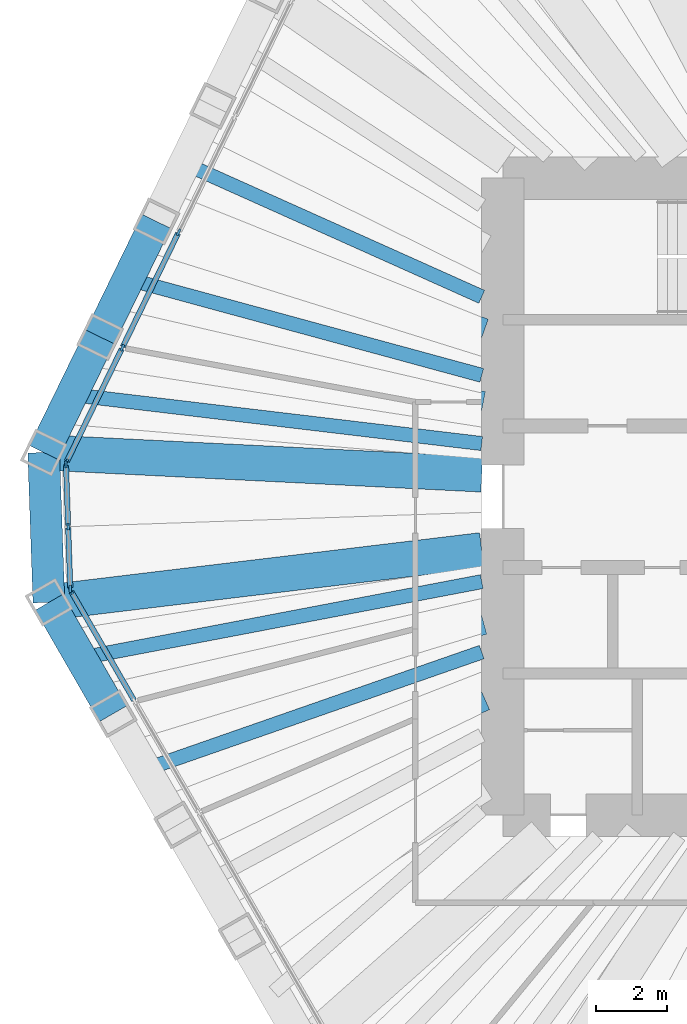
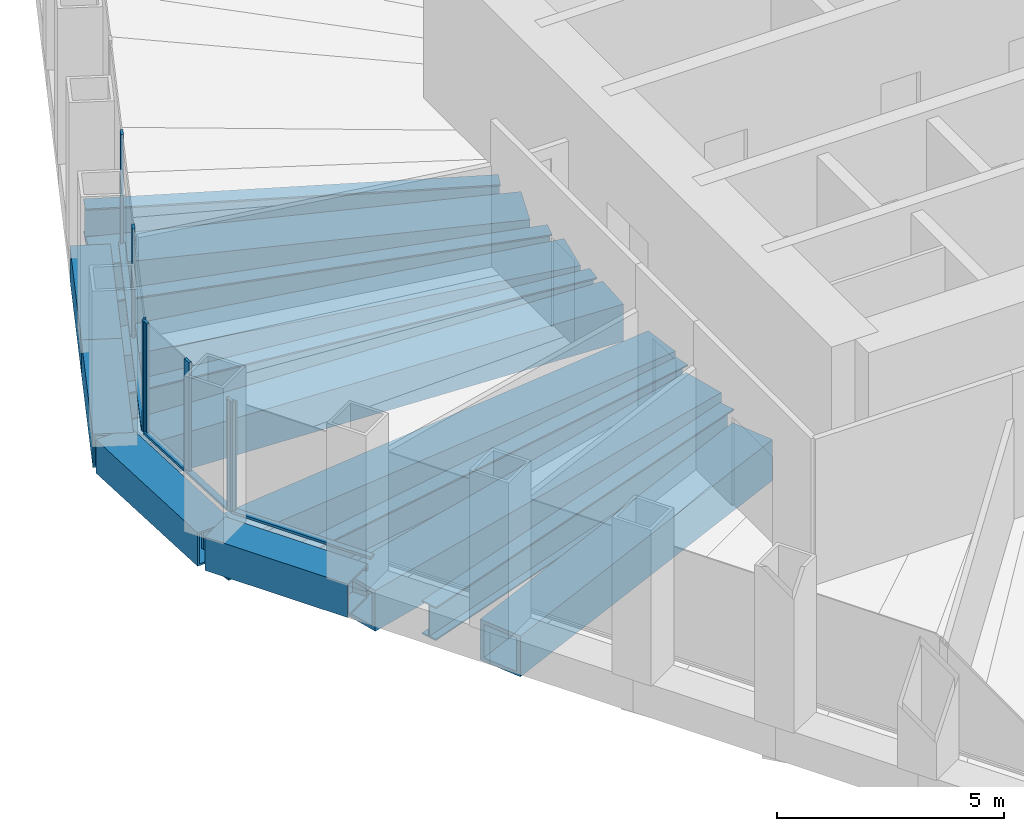
# One storey, part 3 of 12: 15 beams, 12 members, 3 elements without a shape of their own.
"""IFC4 building model written with IfcOpenShell, lengths in metres."""

import ifcopenshell
import ifcopenshell.guid

model = None  # the IFC model being written
_history = None  # IfcOwnerHistory: only IFC2X3 demands one
_inside = {}  # id of a spatial element -> (the spatial element, [elements in it])
_under = {}  # id of a project, library or spatial element -> (it, [spatial elements below it])
_declared = {}  # id of a project -> (the project, [libraries it declares])
_typed = {}  # id of a type object -> (the type object, [elements of that type])
_made_of = {}  # id of a material, layer set ... -> (it, [elements and type objects made of it])


def new_model(schema):
    """Start an empty IFC model of exactly this schema.

    Asked for "IFC4X3", IfcOpenShell would pick the latest addendum, in which some entities
    have other attributes; the version numbers below select the first issue.
    IFC2X3 requires an IfcOwnerHistory on every rooted entity: one is made here for all.
    """
    global model, _history
    if schema == "IFC4X3":
        model = ifcopenshell.file(schema_version=(4, 3, 0, 0))
    else:
        model = ifcopenshell.file(schema=schema)
    _inside.clear()
    _under.clear()
    _declared.clear()
    _typed.clear()
    _made_of.clear()
    _history = None
    if model.schema == "IFC2X3":
        org = make("IfcOrganization", Name="unknown")
        user = make(
            "IfcPersonAndOrganization",
            ThePerson=make("IfcPerson", FamilyName="unknown"),
            TheOrganization=org,
        )
        app = make(
            "IfcApplication",
            ApplicationDeveloper=org,
            Version="unknown",
            ApplicationFullName="unknown",
            ApplicationIdentifier="unknown",
        )
        _history = make(
            "IfcOwnerHistory",
            OwningUser=user,
            OwningApplication=app,
            ChangeAction="ADDED",
            CreationDate=0,
        )
    return model


def make(cls, **values):
    """One entity of the class cls with the attributes given. An attribute that is None is left unset."""
    return model.create_entity(
        cls, **{name: value for name, value in values.items() if value is not None}
    )


def rooted(cls, **values):
    """An entity with a GlobalId (a new one), such as an element, a storey or a relation."""
    return make(cls, GlobalId=ifcopenshell.guid.new(), OwnerHistory=_history, **values)


def si_unit(unit_type, name, prefix=None):
    """IfcSIUnit, for example si_unit("LENGTHUNIT", "METRE", prefix="MILLI")."""
    return make("IfcSIUnit", UnitType=unit_type, Prefix=prefix, Name=name)


def assignment(units):
    """IfcUnitAssignment: the units of a project."""
    return None if units is None else make("IfcUnitAssignment", Units=units)


def point(xyz):
    """IfcCartesianPoint."""
    return None if xyz is None else make("IfcCartesianPoint", Coordinates=xyz)


def direction(xyz):
    """IfcDirection."""
    return None if xyz is None else make("IfcDirection", DirectionRatios=xyz)


def frame(location, z_axis=None, x_axis=None):
    """IfcAxis2Placement3D, a coordinate frame: its origin and axes. An axis left out is left unset."""
    return make(
        "IfcAxis2Placement3D",
        Location=point(location),
        Axis=direction(z_axis),
        RefDirection=direction(x_axis),
    )


def frame_2d(location, x_axis=None):
    """IfcAxis2Placement2D, a coordinate frame in the plane: its origin and x axis."""
    return make(
        "IfcAxis2Placement2D", Location=point(location), RefDirection=direction(x_axis)
    )


def origin():
    """The frame at (0, 0, 0) with its axes left unset."""
    return frame((0.0, 0.0, 0.0))


def origin_2d():
    """The frame at (0, 0) in the plane with its x axis left unset."""
    return frame_2d((0.0, 0.0))


def place(relative_to, where):
    """IfcLocalPlacement: puts the frame where relative to a parent placement (None: the world)."""
    return make(
        "IfcLocalPlacement", PlacementRelTo=relative_to, RelativePlacement=where
    )


def context(
    kind, dimensions, precision=None, world=None, true_north=None, identifier=None
):
    """IfcGeometricRepresentationContext, for example the 3D "Model" context."""
    return make(
        "IfcGeometricRepresentationContext",
        ContextIdentifier=identifier,
        ContextType=kind,
        CoordinateSpaceDimension=dimensions,
        Precision=precision,
        WorldCoordinateSystem=world,
        TrueNorth=true_north,
    )


def subcontext(parent, identifier, kind, view, scale=None):
    """IfcGeometricRepresentationSubContext, for example "Body" below "Model"."""
    return make(
        "IfcGeometricRepresentationSubContext",
        ContextIdentifier=identifier,
        ContextType=kind,
        ParentContext=parent,
        TargetScale=scale,
        TargetView=view,
    )


def project(units=None, contexts=None):
    """IfcProject with its units and contexts."""
    return rooted(
        "IfcProject",
        Name="project",
        RepresentationContexts=contexts,
        UnitsInContext=assignment(units),
    )


def spatial(cls, under=None, at=None, **own):
    """A site, building, storey or space (cls), placed at a placement, below another one or the project."""
    s = rooted(cls, ObjectPlacement=at, **own)
    if under is not None:
        _under.setdefault(under.id(), (under, []))[1].append(s)
    return s


def profile(cls, at=None, kind="AREA", **sizes):
    """A parametric profile (cls). Its sizes go by their IFC names, for example OverallWidth=200.0."""
    return make(cls, ProfileType=kind, Position=at, **sizes)


def rectangle(**sizes):
    """IfcRectangleProfileDef."""
    return profile("IfcRectangleProfileDef", **sizes)


def hollow_rectangle(**sizes):
    """IfcRectangleHollowProfileDef."""
    return profile("IfcRectangleHollowProfileDef", **sizes)


def i_section(**sizes):
    """IfcIShapeProfileDef."""
    return profile("IfcIShapeProfileDef", **sizes)


def extrude(swept, where, along, depth):
    """IfcExtrudedAreaSolid: the profile swept, set in the frame where, extruded along a direction by depth."""
    return make(
        "IfcExtrudedAreaSolid",
        SweptArea=swept,
        Position=where,
        ExtrudedDirection=direction(along),
        Depth=depth,
    )


def shape(context_of_items, identifier, shape_type, items):
    """IfcShapeRepresentation: the items that make up one representation, for example the "Body"."""
    return make(
        "IfcShapeRepresentation",
        ContextOfItems=context_of_items,
        RepresentationIdentifier=identifier,
        RepresentationType=shape_type,
        Items=items,
    )


def material(Name=None, Category=None):
    """IfcMaterial."""
    return make("IfcMaterial", Name=Name, Category=Category)


def material_profile(
    of_material, cross_section, Name=None, Category=None, Priority=None
):
    """IfcMaterialProfile: a cross section and its material."""
    return make(
        "IfcMaterialProfile",
        Name=Name,
        Material=of_material,
        Profile=cross_section,
        Priority=Priority,
        Category=Category,
    )


def profile_set(profiles, Name=None, composite=None):
    """IfcMaterialProfileSet."""
    return make(
        "IfcMaterialProfileSet",
        Name=Name,
        MaterialProfiles=profiles,
        CompositeProfile=composite,
    )


def made_of(thing, what):
    """Note that an element or type object is made of a material, layer set ...; save() writes the relation."""
    if what is not None:
        _made_of.setdefault(what.id(), (what, []))[1].append(thing)
    return thing


def type_object(cls, material=None, **own):
    """A type object (cls), such as IfcWallType, which elements share."""
    return made_of(rooted(cls, **own), material)


def element(
    cls,
    number,
    at=None,
    inside=None,
    cuts=None,
    type_object=None,
    material=None,
    context=None,
    identifier="Body",
    shape_type=None,
    held_by="IfcProductDefinitionShape",
    body=None,
    shapes=None,
    **own,
):
    """One element of the class cls, such as IfcWall. Its Tag is "e" and its number.

    at: its placement. inside: the storey or other place that contains it. cuts: it is an
    opening in that element (IfcRelVoidsElement). A single representation is given by context,
    identifier, shape_type and body (its items); several are given by shapes. held_by: the class
    of the entity that holds the representations. save() writes the other relations.
    """
    e = rooted(cls, Tag="e%d" % number, ObjectPlacement=at, **own)
    if body is not None:
        shapes = [shape(context, identifier, shape_type, body)]
    if shapes is not None:
        e.Representation = make(held_by, Representations=shapes)
    if inside is not None:
        _inside.setdefault(inside.id(), (inside, []))[1].append(e)
    if cuts is not None:
        rooted(
            "IfcRelVoidsElement", RelatingBuildingElement=cuts, RelatedOpeningElement=e
        )
    if type_object is not None:
        _typed.setdefault(type_object.id(), (type_object, []))[1].append(e)
    return made_of(e, material)


def aggregate(whole, parts):
    """IfcRelAggregates: a whole, such as a stair, and the parts it consists of."""
    return rooted("IfcRelAggregates", RelatingObject=whole, RelatedObjects=parts)


def save(model, path):
    """Write the relations noted so far, then the file.

    IfcRelAggregates (storeys below a building ...), IfcRelContainedInSpatialStructure (elements
    in a storey), IfcRelDefinesByType, IfcRelAssociatesMaterial and IfcRelDeclares: one each for
    every whole, place, type object, material and project.
    """
    for whole, parts in _under.values():
        aggregate(whole, parts)
    for where, things in _inside.values():
        rooted(
            "IfcRelContainedInSpatialStructure",
            RelatedElements=things,
            RelatingStructure=where,
        )
    for kind, things in _typed.values():
        rooted("IfcRelDefinesByType", RelatedObjects=things, RelatingType=kind)
    for what, things in _made_of.values():
        rooted("IfcRelAssociatesMaterial", RelatedObjects=things, RelatingMaterial=what)
    for by, libraries in _declared.values():
        rooted("IfcRelDeclares", RelatingContext=by, RelatedDefinitions=libraries)
    model.write(path)


model = new_model("IFC4")

# Units and contexts
model_context = context("Model", 3, precision=1e-05, world=origin(), true_north=direction((0.0, 1.0)))
body_context = subcontext(model_context, "Body", "Model", "MODEL_VIEW")
ifc_project = project(units=[si_unit("LENGTHUNIT", "METRE"), si_unit("AREAUNIT", "SQUARE_METRE"), si_unit("VOLUMEUNIT", "CUBIC_METRE"), si_unit("PLANEANGLEUNIT", "RADIAN"), si_unit("MASSUNIT", "GRAM", prefix="KILO")], contexts=[model_context])

# Site, building, storey
site_placement = place(None, origin())
site = spatial("IfcSite", under=ifc_project, at=site_placement, CompositionType="ELEMENT")
building_placement = place(site_placement, origin())
building = spatial("IfcBuilding", under=site, at=building_placement, Name="Qingtian Harvest Tower", CompositionType="ELEMENT")
storey_placement = place(building_placement, frame((0.0, 0.0, 251.800048828125)))
storey = spatial("IfcBuildingStorey", under=building, at=storey_placement, Name="L55", CompositionType="ELEMENT", Elevation=251.800048828125)

# Beams
ifc_material_1 = material(Name="Steel SN490B", Category="steel")
ifc_material_profile_1 = material_profile(ifc_material_1, i_section(OverallWidth=0.39990234375, OverallDepth=0.89990234375, WebThickness=0.01904296875, FlangeThickness=0.035888671875, at=origin_2d()), Name="H900x400x19x36")
ifc_profile_set_1 = profile_set([ifc_material_profile_1], Name="Steel SN490B")
beam_type_1 = type_object("IfcBeamType", Name="Floor joist J4 H900x400x19x36", PredefinedType="JOIST", material=ifc_profile_set_1)
beam_1_placement = place(storey_placement, frame((-22.108154296875, -7.707763671875, -0.6201171875), z_axis=(0.944256456951, 0.329210788868, 0.0), x_axis=(-0.329210788868, 0.944256456951, 0.0)))
element("IfcBeam", 1, at=beam_1_placement, inside=storey, type_object=beam_type_1, Name="Floor joist J4 SW4", PredefinedType="JOIST", context=body_context, shape_type="SweptSolid", body=[
    extrude(i_section(OverallWidth=0.39990234375, OverallDepth=0.89990234375, WebThickness=0.01904296875, FlangeThickness=0.035888671875, at=origin_2d()), origin(), (0.0, 0.0, 1.0), 10.0693359375),
])
beam_2_placement = place(storey_placement, frame((-23.9248046875, -4.56103515625, -0.6201171875), z_axis=(0.982309082743, 0.187266830912, 0.0), x_axis=(-0.187266830912, 0.982309082743, 0.0)))
element("IfcBeam", 2, at=beam_2_placement, inside=storey, type_object=beam_type_1, Name="Floor joist J4 SW5", PredefinedType="JOIST", context=body_context, shape_type="SweptSolid", body=[
    extrude(i_section(OverallWidth=0.39990234375, OverallDepth=0.89990234375, WebThickness=0.01904296875, FlangeThickness=0.035888671875, at=origin_2d()), origin(), (0.0, 0.0, 1.0), 11.528564453125),
])
beam_3_placement = place(storey_placement, frame((-24.184814453125, 2.880859375, -0.6201171875), z_axis=(0.992980727423, -0.11827626544, 0.0), x_axis=(0.11827626544, 0.992980727423, 0.0)))
element("IfcBeam", 3, at=beam_3_placement, inside=storey, type_object=beam_type_1, Name="Floor joist J4 NW0", PredefinedType="JOIST", context=body_context, shape_type="SweptSolid", body=[
    extrude(i_section(OverallWidth=0.39990234375, OverallDepth=0.89990234375, WebThickness=0.01904296875, FlangeThickness=0.035888671875, at=origin_2d()), origin(), (0.0, 0.0, 1.0), 11.66650390625),
])
beam_4_placement = place(storey_placement, frame((-22.591796875, 6.146728515625, -0.6201171875), z_axis=(0.964923062728, -0.26253282274, 0.0), x_axis=(0.26253282274, 0.964923062728, 0.0)))
element("IfcBeam", 4, at=beam_4_placement, inside=storey, type_object=beam_type_1, Name="Floor joist J4 NW1", PredefinedType="JOIST", context=body_context, shape_type="SweptSolid", body=[
    extrude(i_section(OverallWidth=0.39990234375, OverallDepth=0.89990234375, WebThickness=0.01904296875, FlangeThickness=0.035888671875, at=origin_2d()), origin(), (0.0, 0.0, 1.0), 10.35498046875),
])
beam_5_placement = place(storey_placement, frame((-20.9990234375, 9.41259765625, -0.6201171875), z_axis=(0.912515128421, -0.409042956671, 0.0), x_axis=(0.409042956671, 0.912515128421, 0.0)))
element("IfcBeam", 5, at=beam_5_placement, inside=storey, type_object=beam_type_1, Name="Floor joist J4 NW2", PredefinedType="JOIST", context=body_context, shape_type="SweptSolid", body=[
    extrude(i_section(OverallWidth=0.39990234375, OverallDepth=0.89990234375, WebThickness=0.01904296875, FlangeThickness=0.035888671875, at=origin_2d()), origin(), (0.0, 0.0, 1.0), 9.2041015625),
])

# Curtain wall, member
ifc_material_2 = material(Name="Bronze-anodised aluminium curtain wall", Category="aluminium")
curtain_wall_type = type_object("IfcCurtainWallType", Name="Curtain wall CW4 office", PredefinedType="USERDEFINED", material=ifc_material_2)
curtain_wall_1_placement = place(storey_placement, origin())
curtain_wall_1 = element("IfcCurtainWall", 6, at=curtain_wall_1_placement, inside=storey, type_object=curtain_wall_type, Name="Curtain wall CW4 L55 SW0-5", ObjectType="RECESSED CURTAIN WALL", PredefinedType="USERDEFINED")
ifc_material_3 = material(Name="Bronze-anodised aluminium mullion", Category="aluminium")
ifc_material_profile_2 = material_profile(ifc_material_3, rectangle(XDim=0.06494140625, YDim=0.199951171875, at=origin_2d()), Name="AL 65x200")
ifc_profile_set_2 = profile_set([ifc_material_profile_2], Name="Bronze-anodised aluminium mullion")
member_type_1 = type_object("IfcMemberType", Name="Mullion CWM 65x200", PredefinedType="MULLION", material=ifc_profile_set_2)
member_1_placement = place(storey_placement, frame((-24.210693359375, -2.665771484375, 0.0), z_axis=(0.0, 0.0, 1.0), x_axis=(-0.866025403784, -0.5, 0.0)))
member_1 = element("IfcMember", 7, at=member_1_placement, type_object=member_type_1, Name="CW4 mullion 7", PredefinedType="MULLION", context=body_context, shape_type="SweptSolid", body=[
    extrude(rectangle(XDim=0.06494140625, YDim=0.199951171875, at=origin_2d()), origin(), (0.0, 0.0, 1.0), 3.0),
])

# Curtain wall, members
curtain_wall_2_placement = place(storey_placement, origin())
curtain_wall_2 = element("IfcCurtainWall", 8, at=curtain_wall_2_placement, inside=storey, type_object=curtain_wall_type, Name="Curtain wall CW4 L55 SWC", ObjectType="RECESSED CURTAIN WALL", PredefinedType="USERDEFINED")
member_2_placement = place(storey_placement, frame((-24.228271484375, -2.60498046875, 0.0), z_axis=(0.0, 0.0, 1.0), x_axis=(-0.999390827019, -0.034899496703, 0.0)))
member_2 = element("IfcMember", 9, at=member_2_placement, type_object=member_type_1, Name="CW4 mullion 1", PredefinedType="MULLION", context=body_context, shape_type="SweptSolid", body=[
    extrude(rectangle(XDim=0.06494140625, YDim=0.199951171875, at=origin_2d()), origin(), (0.0, 0.0, 1.0), 3.0),
])
member_3_placement = place(storey_placement, frame((-24.28955078125, -0.84814453125, 0.0), z_axis=(0.0, 0.0, 1.0), x_axis=(-0.999390827019, -0.034899496703, 0.0)))
member_3 = element("IfcMember", 10, at=member_3_placement, type_object=member_type_1, Name="CW4 mullion 2", PredefinedType="MULLION", context=body_context, shape_type="SweptSolid", body=[
    extrude(rectangle(XDim=0.06494140625, YDim=0.199951171875, at=origin_2d()), origin(), (0.0, 0.0, 1.0), 3.0),
])
member_4_placement = place(storey_placement, frame((-24.350830078125, 0.90869140625, 0.0), z_axis=(0.0, 0.0, 1.0), x_axis=(-0.999390827019, -0.034899496703, 0.0)))
member_4 = element("IfcMember", 11, at=member_4_placement, type_object=member_type_1, Name="CW4 mullion 3", PredefinedType="MULLION", context=body_context, shape_type="SweptSolid", body=[
    extrude(rectangle(XDim=0.06494140625, YDim=0.199951171875, at=origin_2d()), origin(), (0.0, 0.0, 1.0), 3.0),
])

curtain_wall_3_placement = place(storey_placement, origin())
curtain_wall_3 = element("IfcCurtainWall", 12, at=curtain_wall_3_placement, inside=storey, type_object=curtain_wall_type, Name="Curtain wall CW4 L55 NW0-5", ObjectType="RECESSED CURTAIN WALL", PredefinedType="USERDEFINED")
member_5_placement = place(storey_placement, frame((-24.337646484375, 0.970458984375, 0.0), z_axis=(0.0, 0.0, 1.0), x_axis=(-0.898794046299, 0.438371146789, 0.0)))
member_5 = element("IfcMember", 13, at=member_5_placement, type_object=member_type_1, Name="CW4 mullion 1", PredefinedType="MULLION", context=body_context, shape_type="SweptSolid", body=[
    extrude(rectangle(XDim=0.06494140625, YDim=0.199951171875, at=origin_2d()), origin(), (0.0, 0.0, 1.0), 3.0),
])
member_6_placement = place(storey_placement, frame((-22.759033203125, 4.20703125, 0.0), z_axis=(0.0, 0.0, 1.0), x_axis=(-0.898794046299, 0.438371146789, 0.0)))
member_6 = element("IfcMember", 14, at=member_6_placement, type_object=member_type_1, Name="CW4 mullion 2", PredefinedType="MULLION", context=body_context, shape_type="SweptSolid", body=[
    extrude(rectangle(XDim=0.06494140625, YDim=0.199951171875, at=origin_2d()), origin(), (0.0, 0.0, 1.0), 3.0),
])
member_7_placement = place(storey_placement, frame((-21.166259765625, 7.47265625, 0.0), z_axis=(0.0, 0.0, 1.0), x_axis=(-0.898794046299, 0.438371146789, 0.0)))
member_7 = element("IfcMember", 15, at=member_7_placement, type_object=member_type_1, Name="CW4 mullion 3", PredefinedType="MULLION", context=body_context, shape_type="SweptSolid", body=[
    extrude(rectangle(XDim=0.06494140625, YDim=0.199951171875, at=origin_2d()), origin(), (0.0, 0.0, 1.0), 3.0),
])

# Beams
ifc_material_4 = material(Name="Steel SM570MC", Category="steel")
ifc_material_profile_3 = material_profile(ifc_material_4, hollow_rectangle(XDim=1.0, YDim=1.0, WallThickness=0.080078125, at=origin_2d()), Name="BOX1000x1000x80")
ifc_profile_set_3 = profile_set([ifc_material_profile_3], Name="Steel SM570MC")
beam_type_2 = type_object("IfcBeamType", Name="Transfer corner beam FB11 BOX1000x1000x80", PredefinedType="BEAM", material=ifc_profile_set_3)
beam_6_placement = place(storey_placement, frame((-24.833251953125, -2.987548828125, -0.670166015625), z_axis=(0.992841259631, 0.119441337798, 0.0), x_axis=(-0.119441337798, 0.992841259631, 0.0)))
element("IfcBeam", 16, at=beam_6_placement, inside=storey, type_object=beam_type_2, Name="Floor beam FB11 SW6", PredefinedType="BEAM", context=body_context, shape_type="SweptSolid", body=[
    extrude(hollow_rectangle(XDim=1.0, YDim=1.0, WallThickness=0.080078125, at=origin_2d()), origin(), (0.0, 0.0, 1.0), 12.3212890625),
])
beam_7_placement = place(storey_placement, frame((-24.981201171875, 1.248046875, -0.670166015625), z_axis=(0.998753959075, -0.049905202459, 0.0), x_axis=(0.049905202459, 0.998753959075, 0.0)))
element("IfcBeam", 17, at=beam_7_placement, inside=storey, type_object=beam_type_2, Name="Floor beam FB11 NW0", PredefinedType="BEAM", context=body_context, shape_type="SweptSolid", body=[
    extrude(hollow_rectangle(XDim=1.0, YDim=1.0, WallThickness=0.080078125, at=origin_2d()), origin(), (0.0, 0.0, 1.0), 12.396484375),
])
ifc_material_5 = material(Name="Steel SM570MC", Category="steel")
ifc_material_profile_4 = material_profile(ifc_material_5, hollow_rectangle(XDim=1.10009765625, YDim=1.10009765625, WallThickness=0.10009765625, at=origin_2d()), Name="BOX1100x1100x100")
ifc_profile_set_4 = profile_set([ifc_material_profile_4], Name="Steel SM570MC")
beam_type_3 = type_object("IfcBeamType", Name="Transfer floor beam FB9 BOX1100x1100x100", PredefinedType="BEAM", material=ifc_profile_set_4)
beam_8_placement = place(storey_placement, frame((-21.19970703125, -9.281005859375, -0.719970703125), z_axis=(0.916057031544, 0.401048020765, 0.0), x_axis=(-0.401048020765, 0.916057031544, 0.0)))
element("IfcBeam", 18, at=beam_8_placement, inside=storey, type_object=beam_type_3, Name="Floor beam FB9 SW4", PredefinedType="BEAM", context=body_context, shape_type="SweptSolid", body=[
    extrude(hollow_rectangle(XDim=1.10009765625, YDim=1.10009765625, WallThickness=0.10009765625, at=origin_2d()), origin(), (0.0, 0.0, 1.0), 9.3876953125),
])
beam_9_placement = place(storey_placement, frame((-23.016357421875, -6.13427734375, -0.719970703125), z_axis=(0.966270640629, 0.257528734433, 0.0), x_axis=(-0.257528734433, 0.966270640629, 0.0)))
element("IfcBeam", 19, at=beam_9_placement, inside=storey, type_object=beam_type_3, Name="Floor beam FB9 SW5", PredefinedType="BEAM", context=body_context, shape_type="SweptSolid", body=[
    extrude(hollow_rectangle(XDim=1.10009765625, YDim=1.10009765625, WallThickness=0.10009765625, at=origin_2d()), origin(), (0.0, 0.0, 1.0), 10.77978515625),
])
beam_10_placement = place(storey_placement, frame((-23.388427734375, 4.513916015625, -0.719970703125), z_axis=(0.981878004162, -0.189514075845, 0.0), x_axis=(0.189514075845, 0.981878004162, 0.0)))
element("IfcBeam", 20, at=beam_10_placement, inside=storey, type_object=beam_type_3, Name="Floor beam FB9 NW1", PredefinedType="BEAM", context=body_context, shape_type="SweptSolid", body=[
    extrude(hollow_rectangle(XDim=1.10009765625, YDim=1.10009765625, WallThickness=0.10009765625, at=origin_2d()), origin(), (0.0, 0.0, 1.0), 10.987548828125),
])
beam_11_placement = place(storey_placement, frame((-21.79541015625, 7.779541015625, -0.719970703125), z_axis=(0.941800733255, -0.336171650857, 0.0), x_axis=(0.336171650857, 0.941800733255, 0.0)))
element("IfcBeam", 21, at=beam_11_placement, inside=storey, type_object=beam_type_3, Name="Floor beam FB9 NW2", PredefinedType="BEAM", context=body_context, shape_type="SweptSolid", body=[
    extrude(hollow_rectangle(XDim=1.10009765625, YDim=1.10009765625, WallThickness=0.10009765625, at=origin_2d()), origin(), (0.0, 0.0, 1.0), 9.763427734375),
])
ifc_material_6 = material(Name="Steel SM570MC", Category="steel")
ifc_material_profile_5 = material_profile(ifc_material_6, hollow_rectangle(XDim=0.89990234375, YDim=0.89990234375, WallThickness=0.050048828125, at=origin_2d()), Name="BOX900x900x50")
ifc_profile_set_5 = profile_set([ifc_material_profile_5], Name="Steel SM570MC")
beam_type_4 = type_object("IfcBeamType", Name="Transition spandrel SB6 BOX900x900x50", PredefinedType="SPANDREL", material=ifc_profile_set_5)
beam_12_placement = place(storey_placement, frame((-23.016357421875, -6.13427734375, -0.449951171875), z_axis=(-0.500026827678, 0.866009914263, 0.0), x_axis=(-0.866009914263, -0.500026827678, 0.0)))
element("IfcBeam", 22, at=beam_12_placement, inside=storey, type_object=beam_type_4, Name="Spandrel SB6 SW5", PredefinedType="SPANDREL", context=body_context, shape_type="SweptSolid", body=[
    extrude(hollow_rectangle(XDim=0.89990234375, YDim=0.89990234375, WallThickness=0.050048828125, at=origin_2d()), origin(), (0.0, 0.0, 1.0), 3.633544921875),
])
beam_13_placement = place(storey_placement, frame((-24.833251953125, -2.987548828125, -0.449951171875), z_axis=(-0.034908677553, 0.999390506375, 0.0), x_axis=(-0.999390506375, -0.034908677553, 0.0)))
element("IfcBeam", 23, at=beam_13_placement, inside=storey, type_object=beam_type_4, Name="Spandrel SB6 SWC", PredefinedType="SPANDREL", context=body_context, shape_type="SweptSolid", body=[
    extrude(hollow_rectangle(XDim=0.89990234375, YDim=0.89990234375, WallThickness=0.050048828125, at=origin_2d()), origin(), (0.0, 0.0, 1.0), 4.23828125),
])
for number, where, z_axis, x_axis, name in (
    (24, (-24.981201171875, 1.248046875, -0.449951171875), (0.438349498419, 0.898804604592, 0.0), (-0.898804604592, 0.438349498419, 0.0), "Spandrel SB6 NW0"),
    (25, (-23.388427734375, 4.513916015625, -0.449951171875), (0.438430251153, 0.898765216769, 0.0), (-0.898765216769, 0.438430251153, 0.0), "Spandrel SB6 NW1"),
):
    element("IfcBeam", number, at=place(storey_placement, frame(where, z_axis=z_axis, x_axis=x_axis)), inside=storey, type_object=beam_type_4, Name=name, PredefinedType="SPANDREL", context=body_context, shape_type="SweptSolid", body=[
        extrude(hollow_rectangle(XDim=0.89990234375, YDim=0.89990234375, WallThickness=0.050048828125, at=origin_2d()), origin(), (0.0, 0.0, 1.0), 3.633544921875),
    ])

# Member
ifc_material_7 = material(Name="Bronze-anodised aluminium transom", Category="aluminium")
ifc_material_profile_6 = material_profile(ifc_material_7, rectangle(XDim=0.14990234375, YDim=0.06494140625, at=origin_2d()), Name="AL 65x150")
ifc_profile_set_6 = profile_set([ifc_material_profile_6], Name="Bronze-anodised aluminium transom")
member_type_2 = type_object("IfcMemberType", Name="Transom CWT 65x150", PredefinedType="USERDEFINED", material=ifc_profile_set_6)
member_8_placement = place(storey_placement, frame((-22.426513671875, -5.756103515625, 0.032470703125), z_axis=(-0.500015305566, 0.866016566931, 0.0), x_axis=(-0.866016566931, -0.500015305566, 0.0)))
member_8 = element("IfcMember", 26, at=member_8_placement, type_object=member_type_2, Name="CW4 transom 6.1", ObjectType="TRANSOM", PredefinedType="USERDEFINED", context=body_context, shape_type="SweptSolid", body=[
    extrude(rectangle(XDim=0.14990234375, YDim=0.06494140625, at=origin_2d()), origin(), (0.0, 0.0, 1.0), 3.5361328125),
])

aggregate(curtain_wall_1, [member_1, member_8])

member_9_placement = place(storey_placement, frame((-24.229248046875, -2.572509765625, 0.032470703125), z_axis=(-0.034899362377, 0.99939083171, 0.0), x_axis=(-0.99939083171, -0.034899362377, 0.0)))
member_9 = element("IfcMember", 27, at=member_9_placement, type_object=member_type_2, Name="CW4 transom 1.1", ObjectType="TRANSOM", PredefinedType="USERDEFINED", context=body_context, shape_type="SweptSolid", body=[
    extrude(rectangle(XDim=0.14990234375, YDim=0.06494140625, at=origin_2d()), origin(), (0.0, 0.0, 1.0), 1.69287109375),
])

member_10_placement = place(storey_placement, frame((-24.29052734375, -0.815673828125, 0.032470703125), z_axis=(-0.034899362377, 0.99939083171, 0.0), x_axis=(-0.99939083171, -0.034899362377, 0.0)))
member_10 = element("IfcMember", 28, at=member_10_placement, type_object=member_type_2, Name="CW4 transom 2.1", ObjectType="TRANSOM", PredefinedType="USERDEFINED", context=body_context, shape_type="SweptSolid", body=[
    extrude(rectangle(XDim=0.14990234375, YDim=0.06494140625, at=origin_2d()), origin(), (0.0, 0.0, 1.0), 1.69287109375),
])

aggregate(curtain_wall_2, [member_2, member_3, member_4, member_9, member_10])

member_11_placement = place(storey_placement, frame((-24.323486328125, 0.99951171875, 0.032470703125), z_axis=(0.438354255898, 0.898802284341, 0.0), x_axis=(-0.898802284341, 0.438354255898, 0.0)))
member_11 = element("IfcMember", 29, at=member_11_placement, type_object=member_type_2, Name="CW4 transom 1.1", ObjectType="TRANSOM", PredefinedType="USERDEFINED", context=body_context, shape_type="SweptSolid", body=[
    extrude(rectangle(XDim=0.14990234375, YDim=0.06494140625, at=origin_2d()), origin(), (0.0, 0.0, 1.0), 3.5361328125),
])

member_12_placement = place(storey_placement, frame((-22.744873046875, 4.236083984375, 0.032470703125), z_axis=(0.438325233634, 0.89881643819, 0.0), x_axis=(-0.89881643819, 0.438325233634, 0.0)))
member_12 = element("IfcMember", 30, at=member_12_placement, type_object=member_type_2, Name="CW4 transom 2.1", ObjectType="TRANSOM", PredefinedType="USERDEFINED", context=body_context, shape_type="SweptSolid", body=[
    extrude(rectangle(XDim=0.14990234375, YDim=0.06494140625, at=origin_2d()), origin(), (0.0, 0.0, 1.0), 3.568603515625),
])

aggregate(curtain_wall_3, [member_5, member_6, member_7, member_11, member_12])

save(model, "model.ifc")
